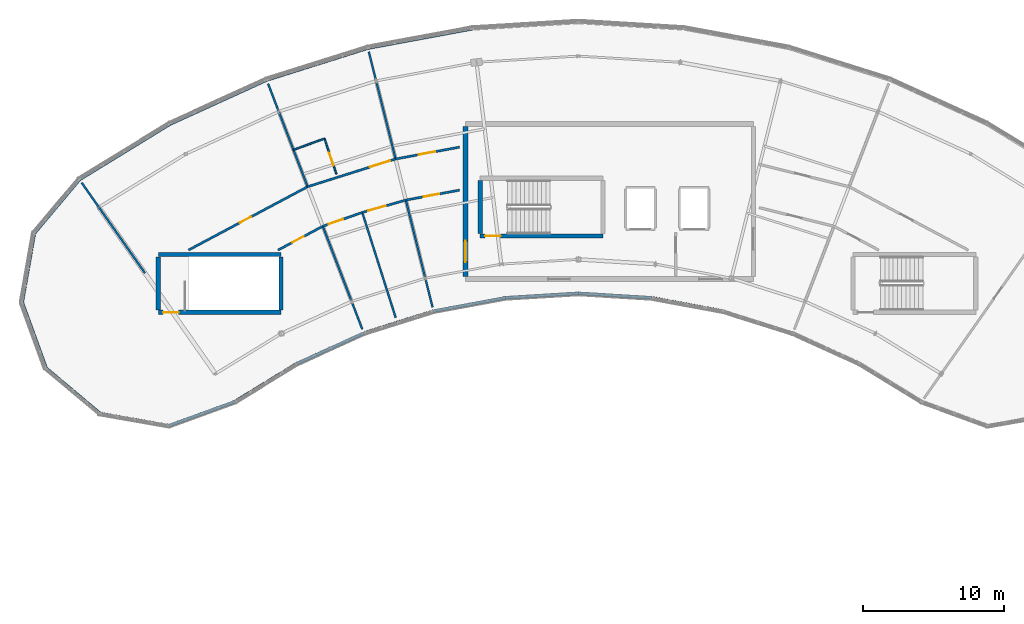
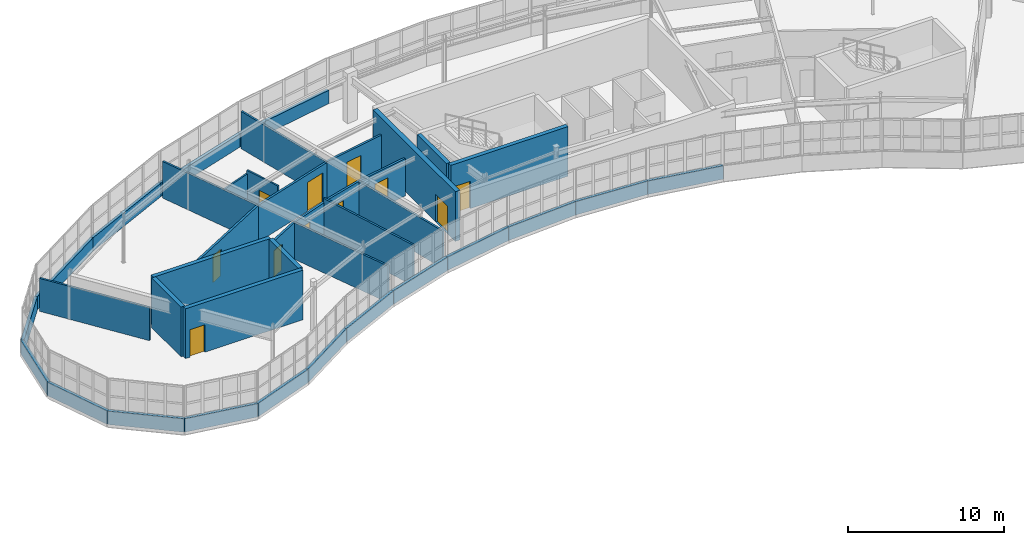
# One storey, part 55 of 60: 39 walls, 11 doors, 11 openings.
"""IFC4 building model written with IfcOpenShell, lengths in metres."""

from ifc_helpers import new_model, si_unit, direction, frame, frame_2d, origin, place, context, subcontext, project, spatial, rectangle, extrude, material, layer, layer_set, type_object, element, fill, save


model = new_model("IFC4")

# Units and contexts
model_context = context("Model", 3, precision=1e-05, world=origin(), true_north=direction((0.0, 1.0)))
body_context = subcontext(model_context, "Body", "Model", "MODEL_VIEW")
ifc_project = project(units=[si_unit("LENGTHUNIT", "METRE"), si_unit("AREAUNIT", "SQUARE_METRE"), si_unit("VOLUMEUNIT", "CUBIC_METRE"), si_unit("PLANEANGLEUNIT", "RADIAN"), si_unit("MASSUNIT", "GRAM", prefix="KILO")], contexts=[model_context])

# Site, building, storey
site_placement = place(None, origin())
site = spatial("IfcSite", under=ifc_project, at=site_placement, CompositionType="ELEMENT")
building_placement = place(site_placement, origin())
building = spatial("IfcBuilding", under=site, at=building_placement, Name="Tarnwether General Hospital", CompositionType="ELEMENT")
storey_placement = place(building_placement, frame((0.0, 0.0, 26.10009765625)))
storey = spatial("IfcBuildingStorey", under=building, at=storey_placement, Name="L06", CompositionType="ELEMENT", Elevation=26.10009765625)

# Walls
ifc_material_1 = material(Name="Streamlined white enamelled aluminium", Category="aluminium")
ifc_layer_1 = layer(ifc_material_1, 0.219970703125)
ifc_layer_set_1 = layer_set([ifc_layer_1], Name="Streamlined white enamelled aluminium")
wall_type_1 = type_object("IfcWallType", Name="WL-EX220", PredefinedType="STANDARD", material=ifc_layer_set_1)
wall_1_placement = place(storey_placement, frame((52.611083984375, 104.759033203125, 0.0), z_axis=(0.0, 0.0, 1.0), x_axis=(0.173426579259, 0.984846801085, 0.0)))
element("IfcWall", 1, at=wall_1_placement, inside=storey, type_object=wall_type_1, Name="Ward NW Streamlined White Spandrel EW-L06-0097", PredefinedType="STANDARD", context=body_context, shape_type="SweptSolid", body=[
    extrude(rectangle(XDim=4.96923828125, YDim=0.219970703125, at=frame_2d((2.484619140625, 0.0))), origin(), (0.0, 0.0, 1.0), 1.0498046875),
])
wall_2_placement = place(storey_placement, frame((54.31005859375, 100.090087890625, 0.0), z_axis=(0.0, 0.0, 1.0), x_axis=(-0.341952160632, 0.939717361678, 0.0)))
element("IfcWall", 2, at=wall_2_placement, inside=storey, type_object=wall_type_1, Name="Ward NW Streamlined White Spandrel EW-L06-0098", PredefinedType="STANDARD", context=body_context, shape_type="SweptSolid", body=[
    extrude(rectangle(XDim=4.968505859375, YDim=0.219970703125, at=frame_2d((2.484375, 0.0))), origin(), (0.0, 0.0, 1.0), 1.0498046875),
])
wall_3_placement = place(storey_placement, frame((58.116943359375, 96.89501953125, 0.0), z_axis=(0.0, 0.0, 1.0), x_axis=(-0.765973821879, 0.642871763415, 0.0)))
element("IfcWall", 3, at=wall_3_placement, inside=storey, type_object=wall_type_1, Name="Ward NW Streamlined White Spandrel EW-L06-0099", PredefinedType="STANDARD", context=body_context, shape_type="SweptSolid", body=[
    extrude(rectangle(XDim=4.969970703125, YDim=0.219970703125, at=frame_2d((2.48486328125, 0.0))), origin(), (0.0, 0.0, 1.0), 1.0498046875),
])
wall_4_placement = place(storey_placement, frame((63.010986328125, 96.031982421875, 0.0), z_axis=(0.0, 0.0, 1.0), x_axis=(-0.984804817938, 0.173664822479, 0.0)))
element("IfcWall", 4, at=wall_4_placement, inside=storey, type_object=wall_type_1, Name="Ward NW Streamlined White Spandrel EW-L06-0100", PredefinedType="STANDARD", context=body_context, shape_type="SweptSolid", body=[
    extrude(rectangle(XDim=4.969482421875, YDim=0.219970703125, at=frame_2d((2.48486328125, 0.0))), origin(), (0.0, 0.0, 1.0), 1.0498046875),
])
wall_5_placement = place(storey_placement, frame((67.679931640625, 97.73193359375, 0.0), z_axis=(0.0, 0.0, 1.0), x_axis=(-0.939654190044, -0.34212571247, 0.0)))
element("IfcWall", 5, at=wall_5_placement, inside=storey, type_object=wall_type_1, Name="Ward NW Streamlined White Spandrel EW-L06-0101", PredefinedType="STANDARD", context=body_context, shape_type="SweptSolid", body=[
    extrude(rectangle(XDim=4.96875, YDim=0.219970703125, at=frame_2d((2.484375, 0.0))), origin(), (0.0, 0.0, 1.0), 1.0498046875),
])
for number, where, z_axis, x_axis, name in (
    (6, (72.093994140625, 100.43701171875, 0.0), (0.0, 0.0, 1.0), (-0.852628362135, -0.522517823698, 0.0), "Ward NW Streamlined White Spandrel EW-L06-0102"),
    (7, (76.804931640625, 102.583984375, 0.0), (0.0, 0.0, 1.0), (-0.909955822384, -0.414705198074, 0.0), "Ward NW Streamlined White Spandrel EW-L06-0103"),
):
    element("IfcWall", number, at=place(storey_placement, frame(where, z_axis=z_axis, x_axis=x_axis)), inside=storey, type_object=wall_type_1, Name=name, PredefinedType="STANDARD", context=body_context, shape_type="SweptSolid", body=[
        extrude(rectangle(XDim=5.177001953125, YDim=0.219970703125, at=frame_2d((2.58837890625, 0.0))), origin(), (0.0, 0.0, 1.0), 1.0498046875),
    ])
wall_6_placement = place(storey_placement, frame((81.742919921875, 104.14111328125, 0.0), z_axis=(0.0, 0.0, 1.0), x_axis=(-0.953706582316, -0.300738681994, 0.0)))
element("IfcWall", 8, at=wall_6_placement, inside=storey, type_object=wall_type_1, Name="Ward NW Streamlined White Spandrel EW-L06-0104", PredefinedType="STANDARD", context=body_context, shape_type="SweptSolid", body=[
    extrude(rectangle(XDim=5.177734375, YDim=0.219970703125, at=frame_2d((2.5888671875, 0.0))), origin(), (0.0, 0.0, 1.0), 1.0498046875),
])
for number, where, z_axis, x_axis, name in (
    (9, (86.8330078125, 105.083984375, 0.0), (0.0, 0.0, 1.0), (-0.98327293422, -0.182138235501, 0.0), "Ward NW Streamlined White Spandrel EW-L06-0105"),
    (10, (92.0, 105.39990234375, 0.0), (0.0, 0.0, 1.0), (-0.998136079034, -0.061027598104, 0.0), "Ward NW Streamlined White Spandrel EW-L06-0106"),
    (11, (97.1669921875, 105.083984375, 0.0), (0.0, 0.0, 1.0), (-0.998136079034, 0.061027598104, 0.0), "Ward NW Streamlined White Spandrel EW-L06-0107"),
    (12, (102.257080078125, 104.14111328125, 0.0), (0.0, 0.0, 1.0), (-0.98327293422, 0.182138235501, 0.0), "Ward NW Streamlined White Spandrel EW-L06-0108"),
):
    element("IfcWall", number, at=place(storey_placement, frame(where, z_axis=z_axis, x_axis=x_axis)), inside=storey, type_object=wall_type_1, Name=name, PredefinedType="STANDARD", context=body_context, shape_type="SweptSolid", body=[
        extrude(rectangle(XDim=5.1767578125, YDim=0.219970703125, at=frame_2d((2.58837890625, 0.0))), origin(), (0.0, 0.0, 1.0), 1.0498046875),
    ])
wall_7_placement = place(storey_placement, frame((77.097900390625, 122.77001953125, 0.0), z_axis=(0.0, 0.0, 1.0), x_axis=(0.983242805192, 0.18230081195, 0.0)))
element("IfcWall", 13, at=wall_7_placement, inside=storey, type_object=wall_type_1, Name="Ward NW Streamlined White Spandrel EW-L06-0124", PredefinedType="STANDARD", context=body_context, shape_type="SweptSolid", body=[
    extrude(rectangle(XDim=7.52099609375, YDim=0.219970703125, at=frame_2d((3.760498046875, 0.0))), origin(), (0.0, 0.0, 1.0), 1.0498046875),
])
wall_8_placement = place(storey_placement, frame((69.925048828125, 120.509033203125, 0.0), z_axis=(0.0, 0.0, 1.0), x_axis=(0.953740021466, 0.300632618747, 0.0)))
element("IfcWall", 14, at=wall_8_placement, inside=storey, type_object=wall_type_1, Name="Ward NW Streamlined White Spandrel EW-L06-0125", PredefinedType="STANDARD", context=body_context, shape_type="SweptSolid", body=[
    extrude(rectangle(XDim=7.520751953125, YDim=0.219970703125, at=frame_2d((3.76025390625, 0.0))), origin(), (0.0, 0.0, 1.0), 1.0498046875),
])
wall_9_placement = place(storey_placement, frame((63.0810546875, 117.389892578125, 0.0), z_axis=(0.0, 0.0, 1.0), x_axis=(0.909953604353, 0.414710064895, 0.0)))
element("IfcWall", 15, at=wall_9_placement, inside=storey, type_object=wall_type_1, Name="Ward NW Streamlined White Spandrel EW-L06-0126", PredefinedType="STANDARD", context=body_context, shape_type="SweptSolid", body=[
    extrude(rectangle(XDim=7.521240234375, YDim=0.219970703125, at=frame_2d((3.7607421875, 0.0))), origin(), (0.0, 0.0, 1.0), 1.0498046875),
])
wall_10_placement = place(storey_placement, frame((56.66796875, 113.4599609375, 0.0), z_axis=(0.0, 0.0, 1.0), x_axis=(0.852640903338, 0.522497358803, 0.0)))
element("IfcWall", 16, at=wall_10_placement, inside=storey, type_object=wall_type_1, Name="Ward NW Streamlined White Spandrel EW-L06-0127", PredefinedType="STANDARD", context=body_context, shape_type="SweptSolid", body=[
    extrude(rectangle(XDim=7.521484375, YDim=0.219970703125, at=frame_2d((3.7607421875, 0.0))), origin(), (0.0, 0.0, 1.0), 1.0498046875),
])
wall_11_placement = place(storey_placement, frame((53.472900390625, 109.653076171875, 0.0), z_axis=(0.0, 0.0, 1.0), x_axis=(0.642871763415, 0.765973821879, 0.0)))
element("IfcWall", 17, at=wall_11_placement, inside=storey, type_object=wall_type_1, Name="Ward NW Streamlined White Spandrel EW-L06-0128", PredefinedType="STANDARD", context=body_context, shape_type="SweptSolid", body=[
    extrude(rectangle(XDim=4.969970703125, YDim=0.219970703125, at=frame_2d((2.48486328125, 0.0))), origin(), (0.0, 0.0, 1.0), 1.0498046875),
])

# Wall, opening, door
ifc_material_2 = material(Name="Gypsum plasterboard")
ifc_layer_2 = layer(ifc_material_2, 0.1201171875)
ifc_layer_set_2 = layer_set([ifc_layer_2], Name="Gypsum plasterboard")
wall_type_2 = type_object("IfcWallType", Name="WL-PT120", PredefinedType="PARTITIONING", material=ifc_layer_set_2)
wall_12_placement = place(storey_placement, frame((74.873046875, 113.83203125, 0.0), z_axis=(0.0, 0.0, 1.0), x_axis=(-0.319199781595, 0.947687448176, 0.0)))
wall_12 = element("IfcWall", 18, at=wall_12_placement, inside=storey, type_object=wall_type_2, Name="Interior Partition PT-L06-0475", PredefinedType="PARTITIONING", context=body_context, shape_type="SweptSolid", body=[
    extrude(rectangle(XDim=2.66015625, YDim=0.1201171875, at=frame_2d((1.330078125, 0.0))), origin(), (0.0, 0.0, 1.0), 3.12890625),
])
opening_1_placement = place(wall_12_placement, frame((0.64990234375, 0.0, 0.0)))
opening_1 = element("IfcOpeningElement", 19, at=opening_1_placement, cuts=wall_12, Name="Opening D-10", PredefinedType="OPENING", context=body_context, shape_type="SweptSolid", body=[
    extrude(rectangle(XDim=0.9599609375, YDim=2.06005859375, at=frame_2d((0.47998046875, 1.030029296875))), frame((0.0, 0.070068359375, 0.0), z_axis=(0.0, -1.0, 0.0), x_axis=(1.0, 0.0, 0.0)), (0.0, 0.0, 1.0), 0.14013671875),
])
ifc_material_3 = material(Name="Anodised aluminium", Category="aluminium")
door_type_1 = type_object("IfcDoorType", Name="DR-IN10", OperationType="NOTDEFINED", PredefinedType="DOOR", material=ifc_material_3)
door_1_placement = place(opening_1_placement, origin())
door_1 = element("IfcDoor", 20, at=door_1_placement, inside=storey, type_object=door_type_1, Name="Interior Door DR-L06-0263", OperationType="SINGLE_SWING_LEFT", OverallHeight=2.06005859375, OverallWidth=0.9599609375, PredefinedType="DOOR", context=body_context, shape_type="SweptSolid", body=[
    extrude(rectangle(XDim=0.9599609375, YDim=2.06005859375, at=frame_2d((0.47998046875, 1.030029296875))), frame((0.0, 0.02490234375, 0.0), z_axis=(0.0, -1.0, 0.0), x_axis=(1.0, 0.0, 0.0)), (0.0, 0.0, 1.0), 0.050048828125),
])
fill(opening_1, door_1)

# Walls
wall_13_placement = place(storey_placement, frame((71.823974609375, 115.56103515625, 0.0), z_axis=(0.0, 0.0, 1.0), x_axis=(0.940886080788, 0.338723165695, 0.0)))
element("IfcWall", 21, at=wall_13_placement, inside=storey, type_object=wall_type_2, Name="Interior Partition PT-L06-0476", PredefinedType="PARTITIONING", context=body_context, shape_type="SweptSolid", body=[
    extrude(rectangle(XDim=2.338134765625, YDim=0.1201171875, at=frame_2d((1.1689453125, 0.0))), origin(), (0.0, 0.0, 1.0), 2.872802734375),
])
ifc_material_4 = material(Name="Gypsum plasterboard")
ifc_layer_3 = layer(ifc_material_4, 0.139892578125)
ifc_layer_set_3 = layer_set([ifc_layer_3], Name="Gypsum plasterboard")
wall_type_3 = type_object("IfcWallType", Name="WL-PT140", PredefinedType="PARTITIONING", material=ifc_layer_set_3)
wall_14_placement = place(storey_placement, frame((72.826904296875, 112.947021484375, 0.0), z_axis=(0.0, 0.0, 1.0), x_axis=(-0.358342954102, 0.933590020965, 0.0)))
element("IfcWall", 22, at=wall_14_placement, inside=storey, type_object=wall_type_3, Name="Interior Partition PT-L06-0472", PredefinedType="PARTITIONING", context=body_context, shape_type="SweptSolid", body=[
    extrude(rectangle(XDim=7.8193359375, YDim=0.139892578125, at=frame_2d((3.90966796875, 0.0))), origin(), (0.0, 0.0, 1.0), 2.872802734375),
])
wall_15_placement = place(storey_placement, frame((73.902099609375, 110.14599609375, 0.0), z_axis=(0.0, 0.0, 1.0), x_axis=(0.358410014332, -0.933564278251, 0.0)))
element("IfcWall", 23, at=wall_15_placement, inside=storey, type_object=wall_type_3, Name="Interior Partition PT-L06-0474", PredefinedType="PARTITIONING", context=body_context, shape_type="SweptSolid", body=[
    extrude(rectangle(XDim=7.820556640625, YDim=0.139892578125, at=frame_2d((3.91015625, 0.0))), origin(), (0.0, 0.0, 1.0), 2.872802734375),
])
wall_16_placement = place(storey_placement, frame((79.056884765625, 114.910888671875, 0.0), z_axis=(0.0, 0.0, 1.0), x_axis=(-0.241911207257, 0.970298391117, 0.0)))
element("IfcWall", 24, at=wall_16_placement, inside=storey, type_object=wall_type_3, Name="Interior Partition PT-L06-0478", PredefinedType="PARTITIONING", context=body_context, shape_type="SweptSolid", body=[
    extrude(rectangle(XDim=7.8203125, YDim=0.139892578125, at=frame_2d((3.91015625, 0.0))), origin(), (0.0, 0.0, 1.0), 2.9228515625),
])
wall_17_placement = place(storey_placement, frame((76.697021484375, 111.125, 0.0), z_axis=(0.0, 0.0, 1.0), x_axis=(0.302952343331, -0.95300570705, 0.0)))
element("IfcWall", 25, at=wall_17_placement, inside=storey, type_object=wall_type_3, Name="Interior Partition PT-L06-0479", PredefinedType="PARTITIONING", context=body_context, shape_type="SweptSolid", body=[
    extrude(rectangle(XDim=7.8193359375, YDim=0.139892578125, at=frame_2d((3.90966796875, 0.0))), origin(), (0.0, 0.0, 1.0), 3.180908203125),
])
wall_18_placement = place(storey_placement, frame((79.782958984375, 112.0, 0.0), z_axis=(0.0, 0.0, 1.0), x_axis=(0.241947927131, -0.970289235515, 0.0)))
element("IfcWall", 26, at=wall_18_placement, inside=storey, type_object=wall_type_3, Name="Interior Partition PT-L06-0482", PredefinedType="PARTITIONING", context=body_context, shape_type="SweptSolid", body=[
    extrude(rectangle(XDim=7.8203125, YDim=0.139892578125, at=frame_2d((3.91015625, 0.0))), origin(), (0.0, 0.0, 1.0), 2.9228515625),
])
wall_19_placement = place(storey_placement, frame((61.31396484375, 106.824951171875, 0.0), z_axis=(0.0, 0.0, 1.0), x_axis=(-0.573682336084, 0.819077882295, 0.0)))
element("IfcWall", 27, at=wall_19_placement, inside=storey, type_object=wall_type_3, Name="Interior Partition PT-L06-0493", PredefinedType="PARTITIONING", context=body_context, shape_type="SweptSolid", body=[
    extrude(rectangle(XDim=7.81982421875, YDim=0.139892578125, at=frame_2d((3.909912109375, 0.0))), origin(), (0.0, 0.0, 1.0), 2.5849609375),
])

# Wall, opening, door
ifc_material_5 = material(Name="Gypsum plasterboard")
ifc_layer_4 = layer(ifc_material_5, 0.159912109375)
ifc_layer_set_4 = layer_set([ifc_layer_4], Name="Gypsum plasterboard")
wall_type_4 = type_object("IfcWallType", Name="WL-PT160", PredefinedType="PARTITIONING", material=ifc_layer_set_4)
wall_20_placement = place(storey_placement, frame((64.388916015625, 108.4599609375, 0.0), z_axis=(0.0, 0.0, 1.0), x_axis=(0.882925792416, 0.46951256116, 0.0)))
wall_20 = element("IfcWall", 28, at=wall_20_placement, inside=storey, type_object=wall_type_4, Name="Interior Partition PT-L06-0471", PredefinedType="PARTITIONING", context=body_context, shape_type="SweptSolid", body=[
    extrude(rectangle(XDim=9.556884765625, YDim=0.159912109375, at=frame_2d((4.7783203125, 0.0))), origin(), (0.0, 0.0, 1.0), 2.872802734375),
])
opening_2_placement = place(wall_20_placement, frame((4.12890625, 0.0, 0.0)))
opening_2 = element("IfcOpeningElement", 29, at=opening_2_placement, cuts=wall_20, Name="Opening D-11", PredefinedType="OPENING", context=body_context, shape_type="SweptSolid", body=[
    extrude(rectangle(XDim=0.89990234375, YDim=2.10009765625, at=frame_2d((0.449951171875, 1.050048828125))), frame((0.0, 0.08984375, 0.0), z_axis=(0.0, -1.0, 0.0), x_axis=(1.0, 0.0, 0.0)), (0.0, 0.0, 1.0), 0.179931640625),
])
ifc_material_6 = material(Name="Anodised aluminium", Category="aluminium")
door_type_2 = type_object("IfcDoorType", Name="DR-IN11", OperationType="NOTDEFINED", PredefinedType="DOOR", material=ifc_material_6)
door_2_placement = place(opening_2_placement, origin())
door_2 = element("IfcDoor", 30, at=door_2_placement, inside=storey, type_object=door_type_2, Name="Interior Door DR-L06-0261", OperationType="SINGLE_SWING_LEFT", OverallHeight=2.10009765625, OverallWidth=0.89990234375, PredefinedType="DOOR", context=body_context, shape_type="SweptSolid", body=[
    extrude(rectangle(XDim=0.89990234375, YDim=2.10009765625, at=frame_2d((0.449951171875, 1.050048828125))), frame((0.0, 0.02490234375, 0.0), z_axis=(0.0, -1.0, 0.0), x_axis=(1.0, 0.0, 0.0)), (0.0, 0.0, 1.0), 0.050048828125),
])
fill(opening_2, door_2)

wall_21_placement = place(storey_placement, frame((70.73095703125, 108.4599609375, 0.0), z_axis=(0.0, 0.0, 1.0), x_axis=(0.882958125757, 0.46945175275, 0.0)))
wall_21 = element("IfcWall", 31, at=wall_21_placement, inside=storey, type_object=wall_type_4, Name="Interior Partition PT-L06-0473", PredefinedType="PARTITIONING", context=body_context, shape_type="SweptSolid", body=[
    extrude(rectangle(XDim=3.591552734375, YDim=0.159912109375, at=frame_2d((1.7958984375, 0.0))), origin(), (0.0, 0.0, 1.0), 2.872802734375),
])
opening_3_placement = place(wall_21_placement, frame((1.14599609375, 0.0, 0.0)))
opening_3 = element("IfcOpeningElement", 32, at=opening_3_placement, cuts=wall_21, Name="Opening D-12", PredefinedType="OPENING", context=body_context, shape_type="SweptSolid", body=[
    extrude(rectangle(XDim=0.919921875, YDim=2.0400390625, at=frame_2d((0.4599609375, 1.02001953125))), frame((0.0, 0.08984375, 0.0), z_axis=(0.0, -1.0, 0.0), x_axis=(1.0, 0.0, 0.0)), (0.0, 0.0, 1.0), 0.179931640625),
])
ifc_material_7 = material(Name="Anodised aluminium", Category="aluminium")
door_type_3 = type_object("IfcDoorType", Name="DR-IN12", OperationType="NOTDEFINED", PredefinedType="DOOR", material=ifc_material_7)
door_3_placement = place(opening_3_placement, origin())
door_3 = element("IfcDoor", 33, at=door_3_placement, inside=storey, type_object=door_type_3, Name="Interior Door DR-L06-0262", OperationType="SINGLE_SWING_RIGHT", OverallHeight=2.0400390625, OverallWidth=0.919921875, PredefinedType="DOOR", context=body_context, shape_type="SweptSolid", body=[
    extrude(rectangle(XDim=0.919921875, YDim=2.0400390625, at=frame_2d((0.4599609375, 1.02001953125))), frame((0.0, 0.02490234375, 0.0), z_axis=(0.0, -1.0, 0.0), x_axis=(1.0, 0.0, 0.0)), (0.0, 0.0, 1.0), 0.050048828125),
])
fill(opening_3, door_3)

wall_22_placement = place(storey_placement, frame((72.826904296875, 112.947021484375, 0.0), z_axis=(0.0, 0.0, 1.0), x_axis=(0.953736183483, 0.30064479426, 0.0)))
wall_22 = element("IfcWall", 34, at=wall_22_placement, inside=storey, type_object=wall_type_4, Name="Interior Partition PT-L06-0477", PredefinedType="PARTITIONING", context=body_context, shape_type="SweptSolid", body=[
    extrude(rectangle(XDim=6.5322265625, YDim=0.159912109375, at=frame_2d((3.26611328125, 0.0))), origin(), (0.0, 0.0, 1.0), 2.872802734375),
])
opening_4_placement = place(wall_22_placement, frame((4.632080078125, 0.0, 0.0)))
opening_4 = element("IfcOpeningElement", 35, at=opening_4_placement, cuts=wall_22, Name="Opening SD-03", PredefinedType="OPENING", context=body_context, shape_type="SweptSolid", body=[
    extrude(rectangle(XDim=1.47998046875, YDim=2.260009765625, at=frame_2d((0.739990234375, 1.1298828125))), frame((0.0, 0.08984375, 0.0), z_axis=(0.0, -1.0, 0.0), x_axis=(1.0, 0.0, 0.0)), (0.0, 0.0, 1.0), 0.179931640625),
])
ifc_material_8 = material(Name="Anodised aluminium", Category="aluminium")
door_type_4 = type_object("IfcDoorType", Name="DR-OR03", OperationType="NOTDEFINED", PredefinedType="DOOR", material=ifc_material_8)
door_4_placement = place(opening_4_placement, origin())
door_4 = element("IfcDoor", 36, at=door_4_placement, inside=storey, type_object=door_type_4, Name="Interior Door DR-L06-0264", OperationType="SLIDING_TO_LEFT", OverallHeight=2.260009765625, OverallWidth=1.47998046875, PredefinedType="DOOR", context=body_context, shape_type="SweptSolid", body=[
    extrude(rectangle(XDim=1.47998046875, YDim=2.260009765625, at=frame_2d((0.739990234375, 1.1298828125))), frame((0.0, 0.02490234375, 0.0), z_axis=(0.0, -1.0, 0.0), x_axis=(1.0, 0.0, 0.0)), (0.0, 0.0, 1.0), 0.050048828125),
])
fill(opening_4, door_4)

wall_23_placement = place(storey_placement, frame((73.902099609375, 110.14599609375, 0.0), z_axis=(0.0, 0.0, 1.0), x_axis=(0.943776070457, 0.330585433485, 0.0)))
wall_23 = element("IfcWall", 37, at=wall_23_placement, inside=storey, type_object=wall_type_4, Name="Interior Partition PT-L06-0480", PredefinedType="PARTITIONING", context=body_context, shape_type="SweptSolid", body=[
    extrude(rectangle(XDim=2.96142578125, YDim=0.159912109375, at=frame_2d((1.480712890625, 0.0))), origin(), (0.0, 0.0, 1.0), 2.872802734375),
])
opening_5_placement = place(wall_23_placement, frame((0.449951171875, 0.0, 0.0)))
opening_5 = element("IfcOpeningElement", 38, at=opening_5_placement, cuts=wall_23, Name="Opening D-08", PredefinedType="OPENING", context=body_context, shape_type="SweptSolid", body=[
    extrude(rectangle(XDim=1.06005859375, YDim=2.10009765625, at=frame_2d((0.530029296875, 1.050048828125))), frame((0.0, 0.08984375, 0.0), z_axis=(0.0, -1.0, 0.0), x_axis=(1.0, 0.0, 0.0)), (0.0, 0.0, 1.0), 0.179931640625),
])
ifc_material_9 = material(Name="Anodised aluminium", Category="aluminium")
door_type_5 = type_object("IfcDoorType", Name="DR-IN08", OperationType="NOTDEFINED", PredefinedType="DOOR", material=ifc_material_9)
door_5_placement = place(opening_5_placement, origin())
door_5 = element("IfcDoor", 39, at=door_5_placement, inside=storey, type_object=door_type_5, Name="Interior Door DR-L06-0265", OperationType="SINGLE_SWING_LEFT", OverallHeight=2.10009765625, OverallWidth=1.06005859375, PredefinedType="DOOR", context=body_context, shape_type="SweptSolid", body=[
    extrude(rectangle(XDim=1.06005859375, YDim=2.10009765625, at=frame_2d((0.530029296875, 1.050048828125))), frame((0.0, 0.02490234375, 0.0), z_axis=(0.0, -1.0, 0.0), x_axis=(1.0, 0.0, 0.0)), (0.0, 0.0, 1.0), 0.050048828125),
])
fill(opening_5, door_5)

wall_24_placement = place(storey_placement, frame((76.697021484375, 111.125, 0.0), z_axis=(0.0, 0.0, 1.0), x_axis=(0.962073473599, 0.272790453274, 0.0)))
wall_24 = element("IfcWall", 40, at=wall_24_placement, inside=storey, type_object=wall_type_4, Name="Interior Partition PT-L06-0481", PredefinedType="PARTITIONING", context=body_context, shape_type="SweptSolid", body=[
    extrude(rectangle(XDim=3.20751953125, YDim=0.159912109375, at=frame_2d((1.603759765625, 0.0))), origin(), (0.0, 0.0, 1.0), 2.9228515625),
])
opening_6_placement = place(wall_24_placement, frame((0.449951171875, 0.0, 0.0)))
opening_6 = element("IfcOpeningElement", 41, at=opening_6_placement, cuts=wall_24, Name="Opening D-04", PredefinedType="OPENING", context=body_context, shape_type="SweptSolid", body=[
    extrude(rectangle(XDim=1.260009765625, YDim=2.139892578125, at=frame_2d((0.6298828125, 1.06982421875))), frame((0.0, 0.08984375, 0.0), z_axis=(0.0, -1.0, 0.0), x_axis=(1.0, 0.0, 0.0)), (0.0, 0.0, 1.0), 0.179931640625),
])
ifc_material_10 = material(Name="Anodised aluminium", Category="aluminium")
door_type_6 = type_object("IfcDoorType", Name="DR-IN04", OperationType="NOTDEFINED", PredefinedType="DOOR", material=ifc_material_10)
door_6_placement = place(opening_6_placement, origin())
door_6 = element("IfcDoor", 42, at=door_6_placement, inside=storey, type_object=door_type_6, Name="Interior Door DR-L06-0266", OperationType="SINGLE_SWING_RIGHT", OverallHeight=2.139892578125, OverallWidth=1.260009765625, PredefinedType="DOOR", context=body_context, shape_type="SweptSolid", body=[
    extrude(rectangle(XDim=1.260009765625, YDim=2.139892578125, at=frame_2d((0.6298828125, 1.06982421875))), frame((0.0, 0.02490234375, 0.0), z_axis=(0.0, -1.0, 0.0), x_axis=(1.0, 0.0, 0.0)), (0.0, 0.0, 1.0), 0.050048828125),
])
fill(opening_6, door_6)

wall_25_placement = place(storey_placement, frame((79.056884765625, 114.910888671875, 0.0), z_axis=(0.0, 0.0, 1.0), x_axis=(0.983258469263, 0.182216307235, 0.0)))
wall_25 = element("IfcWall", 43, at=wall_25_placement, inside=storey, type_object=wall_type_4, Name="Interior Partition PT-L06-0483", PredefinedType="PARTITIONING", context=body_context, shape_type="SweptSolid", body=[
    extrude(rectangle(XDim=4.6103515625, YDim=0.159912109375, at=frame_2d((2.30517578125, 0.0))), origin(), (0.0, 0.0, 1.0), 2.9228515625),
])
opening_7_placement = place(wall_25_placement, frame((1.655029296875, 0.0, 0.0)))
opening_7 = element("IfcOpeningElement", 44, at=opening_7_placement, cuts=wall_25, Name="Opening D-05", PredefinedType="OPENING", context=body_context, shape_type="SweptSolid", body=[
    extrude(rectangle(XDim=1.199951171875, YDim=2.1201171875, at=frame_2d((0.60009765625, 1.06005859375))), frame((0.0, 0.08984375, 0.0), z_axis=(0.0, -1.0, 0.0), x_axis=(1.0, 0.0, 0.0)), (0.0, 0.0, 1.0), 0.179931640625),
])
ifc_material_11 = material(Name="Anodised aluminium", Category="aluminium")
door_type_7 = type_object("IfcDoorType", Name="DR-IN05", OperationType="NOTDEFINED", PredefinedType="DOOR", material=ifc_material_11)
door_7_placement = place(opening_7_placement, origin())
door_7 = element("IfcDoor", 45, at=door_7_placement, inside=storey, type_object=door_type_7, Name="Interior Door DR-L06-0267", OperationType="SINGLE_SWING_LEFT", OverallHeight=2.1201171875, OverallWidth=1.199951171875, PredefinedType="DOOR", context=body_context, shape_type="SweptSolid", body=[
    extrude(rectangle(XDim=1.199951171875, YDim=2.1201171875, at=frame_2d((0.60009765625, 1.06005859375))), frame((0.0, 0.02490234375, 0.0), z_axis=(0.0, -1.0, 0.0), x_axis=(1.0, 0.0, 0.0)), (0.0, 0.0, 1.0), 0.050048828125),
])
fill(opening_7, door_7)

wall_26_placement = place(storey_placement, frame((79.782958984375, 112.0, 0.0), z_axis=(0.0, 0.0, 1.0), x_axis=(0.983234305922, 0.182346646962, 0.0)))
wall_26 = element("IfcWall", 46, at=wall_26_placement, inside=storey, type_object=wall_type_4, Name="Interior Partition PT-L06-0484", PredefinedType="PARTITIONING", context=body_context, shape_type="SweptSolid", body=[
    extrude(rectangle(XDim=3.8720703125, YDim=0.159912109375, at=frame_2d((1.93603515625, 0.0))), origin(), (0.0, 0.0, 1.0), 2.9228515625),
])
opening_8_placement = place(wall_26_placement, frame((1.285888671875, 0.0, 0.0)))
opening_8 = element("IfcOpeningElement", 47, at=opening_8_placement, cuts=wall_26, Name="Opening D-07", PredefinedType="OPENING", context=body_context, shape_type="SweptSolid", body=[
    extrude(rectangle(XDim=1.1201171875, YDim=2.080078125, at=frame_2d((0.56005859375, 1.0400390625))), frame((0.0, 0.08984375, 0.0), z_axis=(0.0, -1.0, 0.0), x_axis=(1.0, 0.0, 0.0)), (0.0, 0.0, 1.0), 0.179931640625),
])
ifc_material_12 = material(Name="Anodised aluminium", Category="aluminium")
door_type_8 = type_object("IfcDoorType", Name="DR-IN07", OperationType="NOTDEFINED", PredefinedType="DOOR", material=ifc_material_12)
door_8_placement = place(opening_8_placement, origin())
door_8 = element("IfcDoor", 48, at=door_8_placement, inside=storey, type_object=door_type_8, Name="Interior Door DR-L06-0268", OperationType="SINGLE_SWING_RIGHT", OverallHeight=2.080078125, OverallWidth=1.1201171875, PredefinedType="DOOR", context=body_context, shape_type="SweptSolid", body=[
    extrude(rectangle(XDim=1.1201171875, YDim=2.080078125, at=frame_2d((0.56005859375, 1.0400390625))), frame((0.0, 0.02490234375, 0.0), z_axis=(0.0, -1.0, 0.0), x_axis=(1.0, 0.0, 0.0)), (0.0, 0.0, 1.0), 0.050048828125),
])
fill(opening_8, door_8)

ifc_material_13 = material(Name="Concrete 50 MPa", Category="concrete")
ifc_layer_5 = layer(ifc_material_13, 0.300048828125)
ifc_layer_set_5 = layer_set([ifc_layer_5], Name="Concrete 50 MPa")
wall_type_5 = type_object("IfcWallType", Name="WL-SW300", PredefinedType="SHEAR", material=ifc_layer_set_5)
wall_27_placement = place(storey_placement, frame((85.050048828125, 109.449951171875, 0.0), z_axis=(0.0, 0.0, 1.0), x_axis=(1.0, 0.0, 0.0)))
wall_27 = element("IfcWall", 49, at=wall_27_placement, inside=storey, type_object=wall_type_5, Name="Stairwell Shear Wall STW-ST-01-L06-B", PredefinedType="SHEAR", context=body_context, shape_type="SweptSolid", body=[
    extrude(rectangle(XDim=8.699951171875, YDim=0.300048828125, at=frame_2d((4.35009765625, 0.0))), origin(), (0.0, 0.0, 1.0), 3.89990234375),
])
opening_9_placement = place(wall_27_placement, frame((0.35009765625, 0.0, 0.0)))
opening_9 = element("IfcOpeningElement", 50, at=opening_9_placement, cuts=wall_27, Name="Opening FD-06", PredefinedType="OPENING", context=body_context, shape_type="SweptSolid", body=[
    extrude(rectangle(XDim=1.10009765625, YDim=2.14990234375, at=frame_2d((0.550048828125, 1.074951171875))), frame((0.0, 0.16015625, 0.0), z_axis=(0.0, -1.0, 0.0), x_axis=(1.0, 0.0, 0.0)), (0.0, 0.0, 1.0), 0.320068359375),
])
ifc_material_14 = material(Name="Anodised aluminium", Category="aluminium")
door_type_9 = type_object("IfcDoorType", Name="DR-FD06", OperationType="NOTDEFINED", PredefinedType="DOOR", material=ifc_material_14)
door_9_placement = place(opening_9_placement, origin())
door_9 = element("IfcDoor", 51, at=door_9_placement, inside=storey, type_object=door_type_9, Name="Stairwell ST-01 Safe-Path Fire Door L06", OperationType="SINGLE_SWING_LEFT", OverallHeight=2.14990234375, OverallWidth=1.10009765625, PredefinedType="DOOR", context=body_context, shape_type="SweptSolid", body=[
    extrude(rectangle(XDim=1.10009765625, YDim=2.14990234375, at=frame_2d((0.550048828125, 1.074951171875))), frame((0.0, 0.02490234375, 0.0), z_axis=(0.0, -1.0, 0.0), x_axis=(1.0, 0.0, 0.0)), (0.0, 0.0, 1.0), 0.050048828125),
])
fill(opening_9, door_9)

# Wall
wall_28_placement = place(storey_placement, frame((85.050048828125, 109.6201171875, 0.0), z_axis=(0.0, 0.0, 1.0), x_axis=(0.0, 1.0, 0.0)))
element("IfcWall", 52, at=wall_28_placement, inside=storey, type_object=wall_type_5, Name="Stairwell Shear Wall STW-ST-01-L06-L", PredefinedType="SHEAR", context=body_context, shape_type="SweptSolid", body=[
    extrude(rectangle(XDim=3.759765625, YDim=0.300048828125, at=frame_2d((1.8798828125, 0.0))), origin(), (0.0, 0.0, 1.0), 3.89990234375),
])

# Wall, opening, door
wall_29_placement = place(storey_placement, frame((62.25, 104.050048828125, 0.0), z_axis=(0.0, 0.0, 1.0), x_axis=(1.0, 0.0, 0.0)))
wall_29 = element("IfcWall", 53, at=wall_29_placement, inside=storey, type_object=wall_type_5, Name="Stairwell Shear Wall STW-ST-07-L06-B", PredefinedType="SHEAR", context=body_context, shape_type="SweptSolid", body=[
    extrude(rectangle(XDim=8.699951171875, YDim=0.300048828125, at=frame_2d((4.35009765625, 0.0))), origin(), (0.0, 0.0, 1.0), 3.89990234375),
])
opening_10_placement = place(wall_29_placement, frame((0.35009765625, 0.0, 0.0)))
opening_10 = element("IfcOpeningElement", 54, at=opening_10_placement, cuts=wall_29, Name="Opening FD-06", PredefinedType="OPENING", context=body_context, shape_type="SweptSolid", body=[
    extrude(rectangle(XDim=1.10009765625, YDim=2.14990234375, at=frame_2d((0.550048828125, 1.074951171875))), frame((0.0, 0.16015625, 0.0), z_axis=(0.0, -1.0, 0.0), x_axis=(1.0, 0.0, 0.0)), (0.0, 0.0, 1.0), 0.320068359375),
])
door_10_placement = place(opening_10_placement, origin())
door_10 = element("IfcDoor", 55, at=door_10_placement, inside=storey, type_object=door_type_9, Name="Stairwell ST-07 Safe-Path Fire Door L06", OperationType="SINGLE_SWING_RIGHT", OverallHeight=2.14990234375, OverallWidth=1.10009765625, PredefinedType="DOOR", context=body_context, shape_type="SweptSolid", body=[
    extrude(rectangle(XDim=1.10009765625, YDim=2.14990234375, at=frame_2d((0.550048828125, 1.074951171875))), frame((0.0, 0.02490234375, 0.0), z_axis=(0.0, -1.0, 0.0), x_axis=(1.0, 0.0, 0.0)), (0.0, 0.0, 1.0), 0.050048828125),
])
fill(opening_10, door_10)

# Walls
wall_30_placement = place(storey_placement, frame((70.949951171875, 108.14990234375, 0.0), z_axis=(0.0, 0.0, 1.0), x_axis=(-1.0, 0.0, 0.0)))
element("IfcWall", 56, at=wall_30_placement, inside=storey, type_object=wall_type_5, Name="Stairwell Shear Wall STW-ST-07-L06-N", PredefinedType="SHEAR", context=body_context, shape_type="SweptSolid", body=[
    extrude(rectangle(XDim=8.699951171875, YDim=0.300048828125, at=frame_2d((4.35009765625, 0.0))), origin(), (0.0, 0.0, 1.0), 3.89990234375),
])
for number, where, z_axis, x_axis, name in (
    (57, (62.25, 104.219970703125, 0.0), (0.0, 0.0, 1.0), (0.0, 1.0, 0.0), "Stairwell Shear Wall STW-ST-07-L06-L"),
    (58, (70.949951171875, 104.219970703125, 0.0), (0.0, 0.0, 1.0), (0.0, 1.0, 0.0), "Stairwell Shear Wall STW-ST-07-L06-F"),
):
    element("IfcWall", number, at=place(storey_placement, frame(where, z_axis=z_axis, x_axis=x_axis)), inside=storey, type_object=wall_type_5, Name=name, PredefinedType="SHEAR", context=body_context, shape_type="SweptSolid", body=[
        extrude(rectangle(XDim=3.760009765625, YDim=0.300048828125, at=frame_2d((1.8798828125, 0.0))), origin(), (0.0, 0.0, 1.0), 3.89990234375),
    ])

# Wall, opening, door
ifc_material_15 = material(Name="Concrete 50 MPa", Category="concrete")
ifc_layer_6 = layer(ifc_material_15, 0.35009765625)
ifc_layer_set_6 = layer_set([ifc_layer_6], Name="Concrete 50 MPa")
wall_type_6 = type_object("IfcWallType", Name="WL-SW350", PredefinedType="SHEAR", material=ifc_layer_set_6)
wall_31_placement = place(storey_placement, frame((84.0, 106.60009765625, 0.0), z_axis=(0.0, 0.0, 1.0), x_axis=(0.0, 1.0, 0.0)))
wall_31 = element("IfcWall", 59, at=wall_31_placement, inside=storey, type_object=wall_type_6, Name="Core Shear Wall CWALL-K1-L06-W", PredefinedType="SHEAR", context=body_context, shape_type="SweptSolid", body=[
    extrude(rectangle(XDim=10.599853515625, YDim=0.35009765625, at=frame_2d((5.2998046875, 0.0))), origin(), (0.0, 0.0, 1.0), 3.89990234375),
])
opening_11_placement = place(wall_31_placement, frame((1.0, 0.0, 0.0)))
opening_11 = element("IfcOpeningElement", 60, at=opening_11_placement, cuts=wall_31, Name="Opening FD-02", PredefinedType="OPENING", context=body_context, shape_type="SweptSolid", body=[
    extrude(rectangle(XDim=1.52001953125, YDim=2.159912109375, at=frame_2d((0.760009765625, 1.080078125))), frame((0.0, 0.18505859375, 0.0), z_axis=(0.0, -1.0, 0.0), x_axis=(1.0, 0.0, 0.0)), (0.0, 0.0, 1.0), 0.3701171875),
])
ifc_material_16 = material(Name="Anodised aluminium", Category="aluminium")
door_type_10 = type_object("IfcDoorType", Name="DR-FD02", OperationType="NOTDEFINED", PredefinedType="DOOR", material=ifc_material_16)
door_11_placement = place(opening_11_placement, origin())
door_11 = element("IfcDoor", 61, at=door_11_placement, inside=storey, type_object=door_type_10, Name="Core K1 Ward Corridor Fire Door L06", OperationType="SINGLE_SWING_RIGHT", OverallHeight=2.159912109375, OverallWidth=1.52001953125, PredefinedType="DOOR", context=body_context, shape_type="SweptSolid", body=[
    extrude(rectangle(XDim=1.52001953125, YDim=2.159912109375, at=frame_2d((0.760009765625, 1.080078125))), frame((0.0, 0.02490234375, 0.0), z_axis=(0.0, -1.0, 0.0), x_axis=(1.0, 0.0, 0.0)), (0.0, 0.0, 1.0), 0.050048828125),
])
fill(opening_11, door_11)

save(model, "model.ifc")
